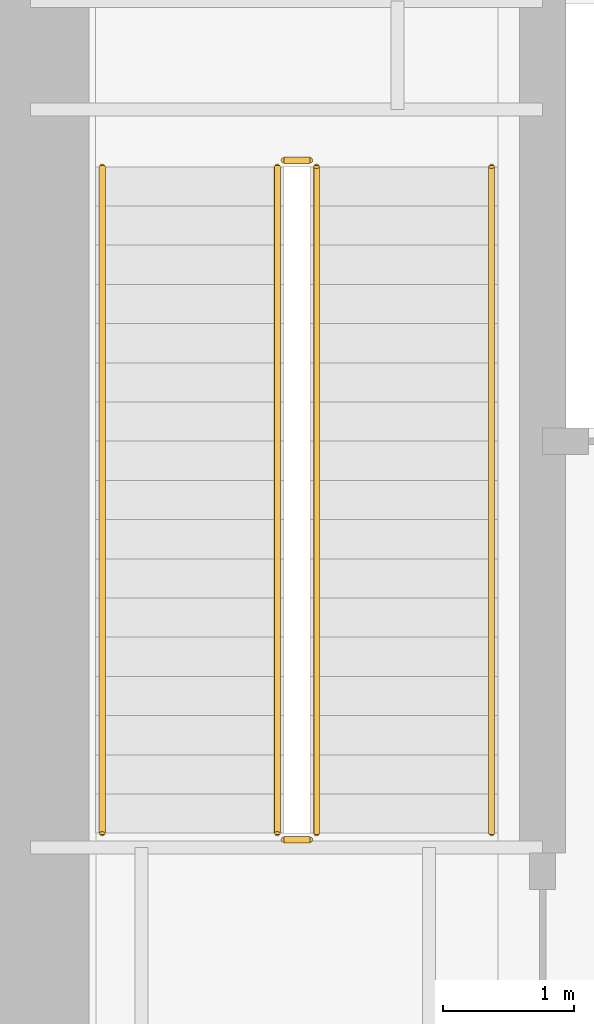
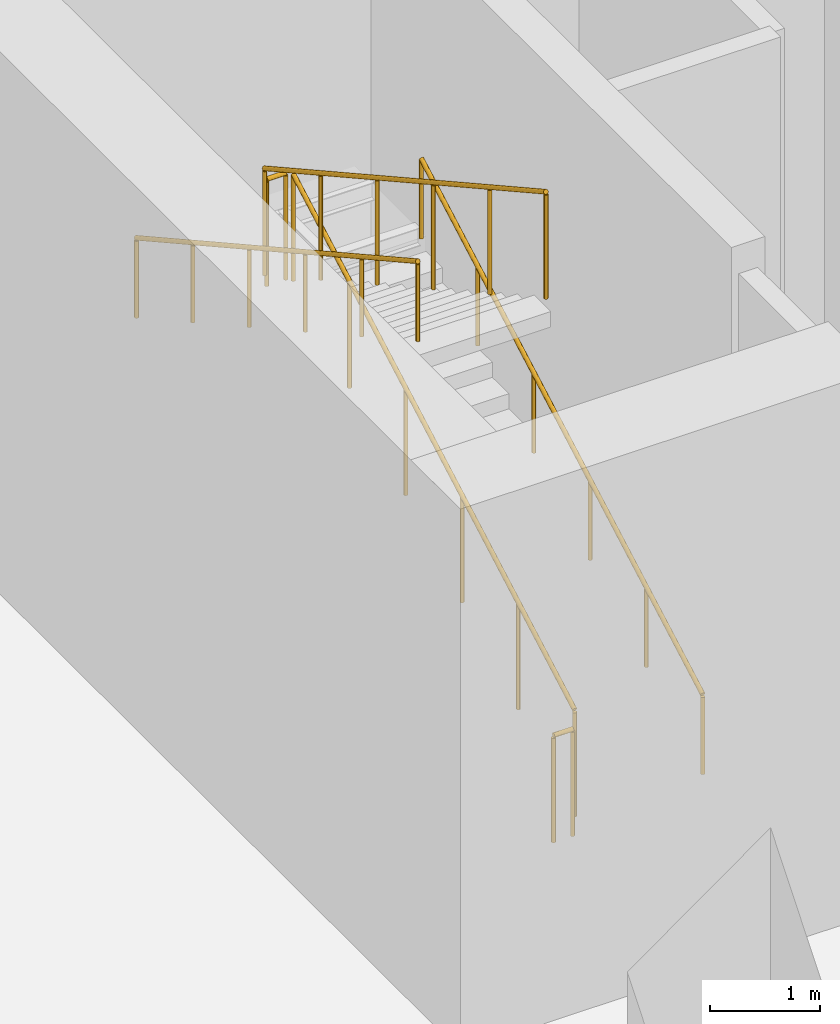
# One storey, part 16 of 20: 6 railings.
"""IFC4 building model written with IfcOpenShell, lengths in metres."""

from ifc_helpers import new_model, si_unit, direction, frame, origin, origin_2d, place, context, subcontext, project, spatial, circle, extrude, material, type_object, element, save


model = new_model("IFC4")

# Units and contexts
model_context = context("Model", 3, precision=1e-05, world=origin(), true_north=direction((0.0, 1.0)))
body_context = subcontext(model_context, "Body", "Model", "MODEL_VIEW")
ifc_project = project(units=[si_unit("LENGTHUNIT", "METRE"), si_unit("AREAUNIT", "SQUARE_METRE"), si_unit("VOLUMEUNIT", "CUBIC_METRE"), si_unit("PLANEANGLEUNIT", "RADIAN"), si_unit("MASSUNIT", "GRAM", prefix="KILO")], contexts=[model_context])

# Site, building, storey
site_placement = place(None, origin())
site = spatial("IfcSite", under=ifc_project, at=site_placement, CompositionType="ELEMENT")
building_placement = place(site_placement, origin())
building = spatial("IfcBuilding", under=site, at=building_placement, Name="Qiaolan Cultural Towers", CompositionType="ELEMENT")
storey_placement = place(building_placement, frame((0.0, 0.0, -6.0)))
storey = spatial("IfcBuildingStorey", under=building, at=storey_placement, Name="B1", CompositionType="ELEMENT", Elevation=-6.0)

# Railings
ifc_material_1 = material(Name="Galvanized Painted Steel Stair Guardrail", Category="steel")
railing_type_1 = type_object("IfcRailingType", Name="RL-STAIR-GRD", PredefinedType="GUARDRAIL", material=ifc_material_1)
railing_1_placement = place(storey_placement, frame((23.989990234375, 48.449951171875, 0.166748046875)))
element("IfcRailing", 1, at=railing_1_placement, inside=storey, type_object=railing_type_1, Name="B1 ST-W2 stair guard 1", PredefinedType="GUARDRAIL", context=body_context, shape_type="SweptSolid", body=[
    extrude(circle(Radius=0.02392578125, at=origin_2d()), frame((0.0, 0.0, 1.17578125), z_axis=(0.0, 0.874167145328, 0.485625166182), x_axis=(-1.0, 0.0, 0.0)), (0.0, 0.0, 1.0), 5.834228515625),
    extrude(circle(Radius=0.02099609375, at=origin_2d()), origin(), (0.0, 0.0, 1.0), 1.15185546875),
    extrude(circle(Radius=0.02099609375, at=origin_2d()), frame((0.0, 1.02001953125, 0.566650390625)), (0.0, 0.0, 1.0), 1.15185546875),
    extrude(circle(Radius=0.02099609375, at=origin_2d()), frame((0.0, 2.0400390625, 1.13330078125)), (0.0, 0.0, 1.0), 1.15185546875),
    extrude(circle(Radius=0.02099609375, at=origin_2d()), frame((0.0, 3.06005859375, 1.699951171875)), (0.0, 0.0, 1.0), 1.15185546875),
    extrude(circle(Radius=0.02099609375, at=origin_2d()), frame((0.0, 4.080078125, 2.2666015625)), (0.0, 0.0, 1.0), 1.15185546875),
    extrude(circle(Radius=0.02099609375, at=origin_2d()), frame((0.0, 5.10009765625, 2.833251953125)), (0.0, 0.0, 1.0), 1.15185546875),
])
railing_2_placement = place(storey_placement, frame((23.93994140625, 53.60009765625, 3.0)))
element("IfcRailing", 2, at=railing_2_placement, inside=storey, type_object=railing_type_1, Name="B1 ST-W2 stair guard 2", PredefinedType="GUARDRAIL", context=body_context, shape_type="SweptSolid", body=[
    extrude(circle(Radius=0.02392578125, at=origin_2d()), frame((0.0, 0.0, 1.17578125), z_axis=(-1.0, 0.0, 0.0), x_axis=(0.0, -1.0, 0.0)), (0.0, 0.0, 1.0), 0.199951171875),
    extrude(circle(Radius=0.02099609375, at=origin_2d()), origin(), (0.0, 0.0, 1.0), 1.15185546875),
    extrude(circle(Radius=0.02099609375, at=origin_2d()), frame((-0.199951171875, 0.0, 0.0)), (0.0, 0.0, 1.0), 1.15185546875),
])
railing_3_placement = place(storey_placement, frame((23.68994140625, 53.550048828125, 3.166748046875)))
element("IfcRailing", 3, at=railing_3_placement, inside=storey, type_object=railing_type_1, Name="B1 ST-W2 stair guard 3", PredefinedType="GUARDRAIL", context=body_context, shape_type="SweptSolid", body=[
    extrude(circle(Radius=0.02392578125, at=origin_2d()), frame((0.0, 0.0, 1.17578125), z_axis=(0.0, -0.874167145328, 0.485625166182), x_axis=(1.0, 0.0, 0.0)), (0.0, 0.0, 1.0), 5.834228515625),
    extrude(circle(Radius=0.02099609375, at=origin_2d()), origin(), (0.0, 0.0, 1.0), 1.15185546875),
    extrude(circle(Radius=0.02099609375, at=origin_2d()), frame((0.0, -1.02001953125, 0.566650390625)), (0.0, 0.0, 1.0), 1.15185546875),
    extrude(circle(Radius=0.02099609375, at=origin_2d()), frame((0.0, -2.0400390625, 1.13330078125)), (0.0, 0.0, 1.0), 1.15185546875),
    extrude(circle(Radius=0.02099609375, at=origin_2d()), frame((0.0, -3.06005859375, 1.699951171875)), (0.0, 0.0, 1.0), 1.15185546875),
    extrude(circle(Radius=0.02099609375, at=origin_2d()), frame((0.0, -4.080078125, 2.2666015625)), (0.0, 0.0, 1.0), 1.15185546875),
    extrude(circle(Radius=0.02099609375, at=origin_2d()), frame((0.0, -5.10009765625, 2.833251953125)), (0.0, 0.0, 1.0), 1.15185546875),
])
railing_4_placement = place(storey_placement, frame((23.93994140625, 48.39990234375, 0.0)))
element("IfcRailing", 4, at=railing_4_placement, inside=storey, type_object=railing_type_1, Name="B1 ST-W2 stair guard 4", PredefinedType="GUARDRAIL", context=body_context, shape_type="SweptSolid", body=[
    extrude(circle(Radius=0.02392578125, at=origin_2d()), frame((0.0, 0.0, 1.17578125), z_axis=(-1.0, 0.0, 0.0), x_axis=(0.0, -1.0, 0.0)), (0.0, 0.0, 1.0), 0.199951171875),
    extrude(circle(Radius=0.02099609375, at=origin_2d()), origin(), (0.0, 0.0, 1.0), 1.15185546875),
    extrude(circle(Radius=0.02099609375, at=origin_2d()), frame((-0.199951171875, 0.0, 0.0)), (0.0, 0.0, 1.0), 1.15185546875),
])
ifc_material_2 = material(Name="Stainless Steel S30408 Tubular Handrail", Category="steel")
railing_type_2 = type_object("IfcRailingType", Name="RL-STAIR-HR", PredefinedType="HANDRAIL", material=ifc_material_2)
railing_5_placement = place(storey_placement, frame((25.330078125, 48.449951171875, 0.166748046875)))
element("IfcRailing", 5, at=railing_5_placement, inside=storey, type_object=railing_type_2, Name="B1 ST-W2 stair handrail 1", PredefinedType="HANDRAIL", context=body_context, shape_type="SweptSolid", body=[
    extrude(circle(Radius=0.02392578125, at=origin_2d()), frame((0.0, 0.0, 0.8759765625), z_axis=(0.0, 0.874167145328, 0.485625166182), x_axis=(-1.0, 0.0, 0.0)), (0.0, 0.0, 1.0), 5.834228515625),
    extrude(circle(Radius=0.02099609375, at=origin_2d()), origin(), (0.0, 0.0, 1.0), 0.851806640625),
    extrude(circle(Radius=0.02099609375, at=origin_2d()), frame((0.0, 1.02001953125, 0.566650390625)), (0.0, 0.0, 1.0), 0.851806640625),
    extrude(circle(Radius=0.02099609375, at=origin_2d()), frame((0.0, 2.0400390625, 1.13330078125)), (0.0, 0.0, 1.0), 0.851806640625),
    extrude(circle(Radius=0.02099609375, at=origin_2d()), frame((0.0, 3.06005859375, 1.699951171875)), (0.0, 0.0, 1.0), 0.851806640625),
    extrude(circle(Radius=0.02099609375, at=origin_2d()), frame((0.0, 4.080078125, 2.2666015625)), (0.0, 0.0, 1.0), 0.851806640625),
    extrude(circle(Radius=0.02099609375, at=origin_2d()), frame((0.0, 5.10009765625, 2.833251953125)), (0.0, 0.0, 1.0), 0.851806640625),
])
railing_6_placement = place(storey_placement, frame((22.35009765625, 53.550048828125, 3.166748046875)))
element("IfcRailing", 6, at=railing_6_placement, inside=storey, type_object=railing_type_2, Name="B1 ST-W2 stair handrail 2", PredefinedType="HANDRAIL", context=body_context, shape_type="SweptSolid", body=[
    extrude(circle(Radius=0.02392578125, at=origin_2d()), frame((0.0, 0.0, 0.8759765625), z_axis=(0.0, -0.874167145328, 0.485625166182), x_axis=(1.0, 0.0, 0.0)), (0.0, 0.0, 1.0), 5.834228515625),
    extrude(circle(Radius=0.02099609375, at=origin_2d()), origin(), (0.0, 0.0, 1.0), 0.851806640625),
    extrude(circle(Radius=0.02099609375, at=origin_2d()), frame((0.0, -1.02001953125, 0.566650390625)), (0.0, 0.0, 1.0), 0.851806640625),
    extrude(circle(Radius=0.02099609375, at=origin_2d()), frame((0.0, -2.0400390625, 1.13330078125)), (0.0, 0.0, 1.0), 0.851806640625),
    extrude(circle(Radius=0.02099609375, at=origin_2d()), frame((0.0, -3.06005859375, 1.699951171875)), (0.0, 0.0, 1.0), 0.851806640625),
    extrude(circle(Radius=0.02099609375, at=origin_2d()), frame((0.0, -4.080078125, 2.2666015625)), (0.0, 0.0, 1.0), 0.851806640625),
    extrude(circle(Radius=0.02099609375, at=origin_2d()), frame((0.0, -5.10009765625, 2.833251953125)), (0.0, 0.0, 1.0), 0.851806640625),
])

save(model, "model.ifc")
